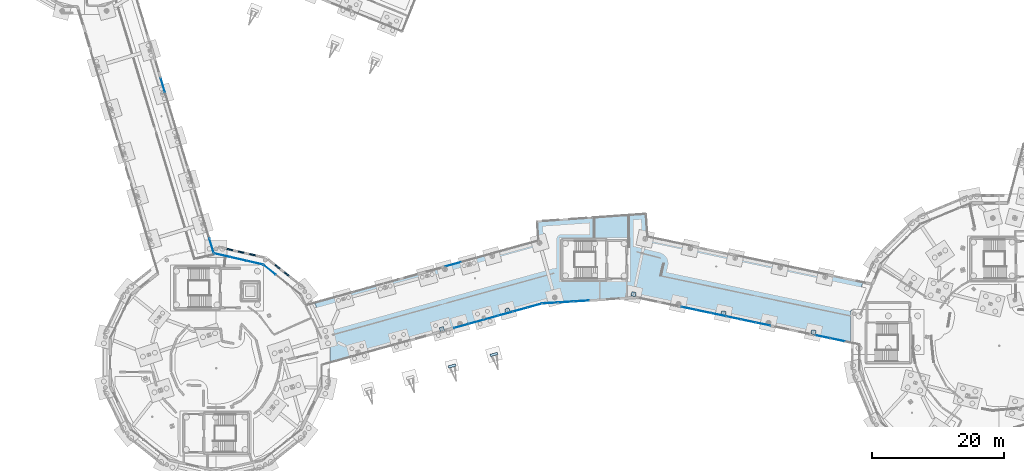
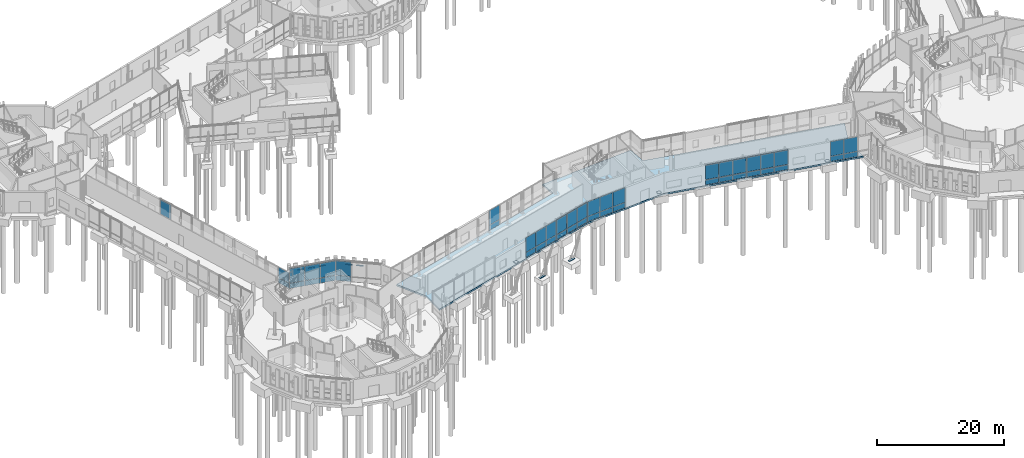
# One storey, part 65 of 113: 59 plates, 1 slab, 11 elements without a shape of their own.
"""IFC4 building model written with IfcOpenShell, lengths in metres."""

import ifcopenshell
import ifcopenshell.guid

model = None  # the IFC model being written
_history = None  # IfcOwnerHistory: only IFC2X3 demands one
_inside = {}  # id of a spatial element -> (the spatial element, [elements in it])
_under = {}  # id of a project, library or spatial element -> (it, [spatial elements below it])
_declared = {}  # id of a project -> (the project, [libraries it declares])
_typed = {}  # id of a type object -> (the type object, [elements of that type])
_made_of = {}  # id of a material, layer set ... -> (it, [elements and type objects made of it])


def new_model(schema):
    """Start an empty IFC model of exactly this schema.

    Asked for "IFC4X3", IfcOpenShell would pick the latest addendum, in which some entities
    have other attributes; the version numbers below select the first issue.
    IFC2X3 requires an IfcOwnerHistory on every rooted entity: one is made here for all.
    """
    global model, _history
    if schema == "IFC4X3":
        model = ifcopenshell.file(schema_version=(4, 3, 0, 0))
    else:
        model = ifcopenshell.file(schema=schema)
    _inside.clear()
    _under.clear()
    _declared.clear()
    _typed.clear()
    _made_of.clear()
    _history = None
    if model.schema == "IFC2X3":
        org = make("IfcOrganization", Name="unknown")
        user = make(
            "IfcPersonAndOrganization",
            ThePerson=make("IfcPerson", FamilyName="unknown"),
            TheOrganization=org,
        )
        app = make(
            "IfcApplication",
            ApplicationDeveloper=org,
            Version="unknown",
            ApplicationFullName="unknown",
            ApplicationIdentifier="unknown",
        )
        _history = make(
            "IfcOwnerHistory",
            OwningUser=user,
            OwningApplication=app,
            ChangeAction="ADDED",
            CreationDate=0,
        )
    return model


def make(cls, **values):
    """One entity of the class cls with the attributes given. An attribute that is None is left unset."""
    return model.create_entity(
        cls, **{name: value for name, value in values.items() if value is not None}
    )


def rooted(cls, **values):
    """An entity with a GlobalId (a new one), such as an element, a storey or a relation."""
    return make(cls, GlobalId=ifcopenshell.guid.new(), OwnerHistory=_history, **values)


def si_unit(unit_type, name, prefix=None):
    """IfcSIUnit, for example si_unit("LENGTHUNIT", "METRE", prefix="MILLI")."""
    return make("IfcSIUnit", UnitType=unit_type, Prefix=prefix, Name=name)


def assignment(units):
    """IfcUnitAssignment: the units of a project."""
    return None if units is None else make("IfcUnitAssignment", Units=units)


def point(xyz):
    """IfcCartesianPoint."""
    return None if xyz is None else make("IfcCartesianPoint", Coordinates=xyz)


def direction(xyz):
    """IfcDirection."""
    return None if xyz is None else make("IfcDirection", DirectionRatios=xyz)


def frame(location, z_axis=None, x_axis=None):
    """IfcAxis2Placement3D, a coordinate frame: its origin and axes. An axis left out is left unset."""
    return make(
        "IfcAxis2Placement3D",
        Location=point(location),
        Axis=direction(z_axis),
        RefDirection=direction(x_axis),
    )


def frame_2d(location, x_axis=None):
    """IfcAxis2Placement2D, a coordinate frame in the plane: its origin and x axis."""
    return make(
        "IfcAxis2Placement2D", Location=point(location), RefDirection=direction(x_axis)
    )


def origin():
    """The frame at (0, 0, 0) with its axes left unset."""
    return frame((0.0, 0.0, 0.0))


def origin_2d():
    """The frame at (0, 0) in the plane with its x axis left unset."""
    return frame_2d((0.0, 0.0))


def place(relative_to, where):
    """IfcLocalPlacement: puts the frame where relative to a parent placement (None: the world)."""
    return make(
        "IfcLocalPlacement", PlacementRelTo=relative_to, RelativePlacement=where
    )


def context(
    kind, dimensions, precision=None, world=None, true_north=None, identifier=None
):
    """IfcGeometricRepresentationContext, for example the 3D "Model" context."""
    return make(
        "IfcGeometricRepresentationContext",
        ContextIdentifier=identifier,
        ContextType=kind,
        CoordinateSpaceDimension=dimensions,
        Precision=precision,
        WorldCoordinateSystem=world,
        TrueNorth=true_north,
    )


def subcontext(parent, identifier, kind, view, scale=None):
    """IfcGeometricRepresentationSubContext, for example "Body" below "Model"."""
    return make(
        "IfcGeometricRepresentationSubContext",
        ContextIdentifier=identifier,
        ContextType=kind,
        ParentContext=parent,
        TargetScale=scale,
        TargetView=view,
    )


def project(units=None, contexts=None):
    """IfcProject with its units and contexts."""
    return rooted(
        "IfcProject",
        Name="project",
        RepresentationContexts=contexts,
        UnitsInContext=assignment(units),
    )


def spatial(cls, under=None, at=None, **own):
    """A site, building, storey or space (cls), placed at a placement, below another one or the project."""
    s = rooted(cls, ObjectPlacement=at, **own)
    if under is not None:
        _under.setdefault(under.id(), (under, []))[1].append(s)
    return s


def polyline(points):
    """IfcPolyline through the points."""
    return make("IfcPolyline", Points=[point(p) for p in points])


def profile(cls, at=None, kind="AREA", **sizes):
    """A parametric profile (cls). Its sizes go by their IFC names, for example OverallWidth=200.0."""
    return make(cls, ProfileType=kind, Position=at, **sizes)


def rectangle(**sizes):
    """IfcRectangleProfileDef."""
    return profile("IfcRectangleProfileDef", **sizes)


def outline(outer, holes=None, kind="AREA"):
    """IfcArbitraryClosedProfileDef: a profile drawn as a closed curve; with holes, ...WithVoids."""
    if holes is None:
        return make("IfcArbitraryClosedProfileDef", ProfileType=kind, OuterCurve=outer)
    return make(
        "IfcArbitraryProfileDefWithVoids",
        ProfileType=kind,
        OuterCurve=outer,
        InnerCurves=holes,
    )


def extrude(swept, where, along, depth):
    """IfcExtrudedAreaSolid: the profile swept, set in the frame where, extruded along a direction by depth."""
    return make(
        "IfcExtrudedAreaSolid",
        SweptArea=swept,
        Position=where,
        ExtrudedDirection=direction(along),
        Depth=depth,
    )


def shape(context_of_items, identifier, shape_type, items):
    """IfcShapeRepresentation: the items that make up one representation, for example the "Body"."""
    return make(
        "IfcShapeRepresentation",
        ContextOfItems=context_of_items,
        RepresentationIdentifier=identifier,
        RepresentationType=shape_type,
        Items=items,
    )


def material(Name=None, Category=None):
    """IfcMaterial."""
    return make("IfcMaterial", Name=Name, Category=Category)


def layer(
    of_material, thickness, ventilated=None, Name=None, Category=None, Priority=None
):
    """IfcMaterialLayer: one layer of a wall or slab, of a material (None: an air gap)."""
    return make(
        "IfcMaterialLayer",
        Material=of_material,
        LayerThickness=thickness,
        IsVentilated=ventilated,
        Name=Name,
        Category=Category,
        Priority=Priority,
    )


def layer_set(layers, Name=None):
    """IfcMaterialLayerSet."""
    return make("IfcMaterialLayerSet", MaterialLayers=layers, LayerSetName=Name)


def made_of(thing, what):
    """Note that an element or type object is made of a material, layer set ...; save() writes the relation."""
    if what is not None:
        _made_of.setdefault(what.id(), (what, []))[1].append(thing)
    return thing


def type_object(cls, material=None, **own):
    """A type object (cls), such as IfcWallType, which elements share."""
    return made_of(rooted(cls, **own), material)


def element(
    cls,
    number,
    at=None,
    inside=None,
    cuts=None,
    type_object=None,
    material=None,
    context=None,
    identifier="Body",
    shape_type=None,
    held_by="IfcProductDefinitionShape",
    body=None,
    shapes=None,
    **own,
):
    """One element of the class cls, such as IfcWall. Its Tag is "e" and its number.

    at: its placement. inside: the storey or other place that contains it. cuts: it is an
    opening in that element (IfcRelVoidsElement). A single representation is given by context,
    identifier, shape_type and body (its items); several are given by shapes. held_by: the class
    of the entity that holds the representations. save() writes the other relations.
    """
    e = rooted(cls, Tag="e%d" % number, ObjectPlacement=at, **own)
    if body is not None:
        shapes = [shape(context, identifier, shape_type, body)]
    if shapes is not None:
        e.Representation = make(held_by, Representations=shapes)
    if inside is not None:
        _inside.setdefault(inside.id(), (inside, []))[1].append(e)
    if cuts is not None:
        rooted(
            "IfcRelVoidsElement", RelatingBuildingElement=cuts, RelatedOpeningElement=e
        )
    if type_object is not None:
        _typed.setdefault(type_object.id(), (type_object, []))[1].append(e)
    return made_of(e, material)


def aggregate(whole, parts):
    """IfcRelAggregates: a whole, such as a stair, and the parts it consists of."""
    return rooted("IfcRelAggregates", RelatingObject=whole, RelatedObjects=parts)


def save(model, path):
    """Write the relations noted so far, then the file.

    IfcRelAggregates (storeys below a building ...), IfcRelContainedInSpatialStructure (elements
    in a storey), IfcRelDefinesByType, IfcRelAssociatesMaterial and IfcRelDeclares: one each for
    every whole, place, type object, material and project.
    """
    for whole, parts in _under.values():
        aggregate(whole, parts)
    for where, things in _inside.values():
        rooted(
            "IfcRelContainedInSpatialStructure",
            RelatedElements=things,
            RelatingStructure=where,
        )
    for kind, things in _typed.values():
        rooted("IfcRelDefinesByType", RelatedObjects=things, RelatingType=kind)
    for what, things in _made_of.values():
        rooted("IfcRelAssociatesMaterial", RelatedObjects=things, RelatingMaterial=what)
    for by, libraries in _declared.values():
        rooted("IfcRelDeclares", RelatingContext=by, RelatedDefinitions=libraries)
    model.write(path)


model = new_model("IFC4")

# Units and contexts
model_context = context("Model", 3, precision=1e-05, world=origin(), true_north=direction((0.0, 1.0)))
body_context = subcontext(model_context, "Body", "Model", "MODEL_VIEW")
ifc_project = project(units=[si_unit("LENGTHUNIT", "METRE"), si_unit("AREAUNIT", "SQUARE_METRE"), si_unit("VOLUMEUNIT", "CUBIC_METRE"), si_unit("PLANEANGLEUNIT", "RADIAN"), si_unit("MASSUNIT", "GRAM", prefix="KILO")], contexts=[model_context])

# Site, building, storey
site_placement = place(None, origin())
site = spatial("IfcSite", under=ifc_project, at=site_placement, CompositionType="ELEMENT")
building_placement = place(site_placement, origin())
building = spatial("IfcBuilding", under=site, at=building_placement, Name="Wrenclough Park School", CompositionType="ELEMENT")
storey_placement = place(building_placement, origin())
storey = spatial("IfcBuildingStorey", under=building, at=storey_placement, Name="L00", CompositionType="ELEMENT", Elevation=0.0)

# Curtain wall, plates
ifc_material_1 = material(Name="Thermally broken aluminium and low-e glass curtain wall", Category="aluminium")
curtain_wall_type_1 = type_object("IfcCurtainWallType", Name="ENV-CW-05", PredefinedType="USERDEFINED", material=ifc_material_1)
curtain_wall_1_placement = place(storey_placement, origin())
curtain_wall_1 = element("IfcCurtainWall", 1, at=curtain_wall_1_placement, inside=storey, type_object=curtain_wall_type_1, Name="L00 recessed curtain wall assembly 036", ObjectType="CURTAIN WALL", PredefinedType="USERDEFINED")
ifc_material_2 = material(Name="Double-glazed solar-control low-e glass", Category="glass")
ifc_layer_1 = layer(ifc_material_2, 0.02587890625)
ifc_layer_set_1 = layer_set([ifc_layer_1], Name="Double-glazed solar-control low-e glass")
plate_type_1 = type_object("IfcPlateType", Name="ENV-CWP-GL26", PredefinedType="CURTAIN_PANEL", material=ifc_layer_set_1)
plate_1_placement = place(storey_placement, frame((119.603759765625, 29.304443359375, 0.06005859375), z_axis=(0.0, 0.0, 1.0), x_axis=(-0.978380117237, 0.206814763004, 0.0)))
plate_1 = element("IfcPlate", 2, at=plate_1_placement, type_object=plate_type_1, Name="CW-05 panel 1.1", PredefinedType="CURTAIN_PANEL", context=body_context, shape_type="SweptSolid", body=[
    extrude(rectangle(XDim=2.213623046875, YDim=0.02587890625, at=origin_2d()), origin(), (0.0, 0.0, 1.0), 0.9599609375),
])
plate_2_placement = place(storey_placement, frame((119.603759765625, 29.304443359375, 1.080078125), z_axis=(0.0, 0.0, 1.0), x_axis=(-0.978380117237, 0.206814763004, 0.0)))
plate_2 = element("IfcPlate", 3, at=plate_2_placement, type_object=plate_type_1, Name="CW-05 panel 1.2", PredefinedType="CURTAIN_PANEL", context=body_context, shape_type="SweptSolid", body=[
    extrude(rectangle(XDim=2.213623046875, YDim=0.02587890625, at=origin_2d()), origin(), (0.0, 0.0, 1.0), 2.800048828125),
])
plate_3_placement = place(storey_placement, frame((117.364501953125, 29.77783203125, 0.06005859375), z_axis=(0.0, 0.0, 1.0), x_axis=(-0.978380117237, 0.206814763004, 0.0)))
plate_3 = element("IfcPlate", 4, at=plate_3_placement, type_object=plate_type_1, Name="CW-05 panel 2.1", PredefinedType="CURTAIN_PANEL", context=body_context, shape_type="SweptSolid", body=[
    extrude(rectangle(XDim=2.24365234375, YDim=0.02587890625, at=origin_2d()), origin(), (0.0, 0.0, 1.0), 0.9599609375),
])
plate_4_placement = place(storey_placement, frame((117.364501953125, 29.77783203125, 1.080078125), z_axis=(0.0, 0.0, 1.0), x_axis=(-0.978380117237, 0.206814763004, 0.0)))
plate_4 = element("IfcPlate", 5, at=plate_4_placement, type_object=plate_type_1, Name="CW-05 panel 2.2", PredefinedType="CURTAIN_PANEL", context=body_context, shape_type="SweptSolid", body=[
    extrude(rectangle(XDim=2.24365234375, YDim=0.02587890625, at=origin_2d()), origin(), (0.0, 0.0, 1.0), 2.800048828125),
])
plate_5_placement = place(storey_placement, frame((115.12548828125, 30.2509765625, 0.06005859375), z_axis=(0.0, 0.0, 1.0), x_axis=(-0.978380117237, 0.206814763004, 0.0)))
plate_5 = element("IfcPlate", 6, at=plate_5_placement, type_object=plate_type_1, Name="CW-05 panel 3.1", PredefinedType="CURTAIN_PANEL", context=body_context, shape_type="SweptSolid", body=[
    extrude(rectangle(XDim=2.213623046875, YDim=0.02587890625, at=origin_2d()), origin(), (0.0, 0.0, 1.0), 0.9599609375),
])
plate_6_placement = place(storey_placement, frame((115.12548828125, 30.2509765625, 1.080078125), z_axis=(0.0, 0.0, 1.0), x_axis=(-0.978380117237, 0.206814763004, 0.0)))
plate_6 = element("IfcPlate", 7, at=plate_6_placement, type_object=plate_type_1, Name="CW-05 panel 3.2", PredefinedType="CURTAIN_PANEL", context=body_context, shape_type="SweptSolid", body=[
    extrude(rectangle(XDim=2.213623046875, YDim=0.02587890625, at=origin_2d()), origin(), (0.0, 0.0, 1.0), 2.800048828125),
])
aggregate(curtain_wall_1, [plate_1, plate_2, plate_3, plate_4, plate_5, plate_6])

curtain_wall_type_2 = type_object("IfcCurtainWallType", Name="ENV-CW-09", PredefinedType="USERDEFINED", material=ifc_material_1)
curtain_wall_2_placement = place(storey_placement, origin())
curtain_wall_2 = element("IfcCurtainWall", 8, at=curtain_wall_2_placement, inside=storey, type_object=curtain_wall_type_2, Name="L00 recessed curtain wall assembly 040", ObjectType="CURTAIN WALL", PredefinedType="USERDEFINED")
plate_7_placement = place(storey_placement, frame((78.2119140625, 30.248779296875, 0.06494140625), z_axis=(0.0, 0.0, 1.0), x_axis=(-0.963399766486, -0.268068815671, 0.0)))
plate_7 = element("IfcPlate", 9, at=plate_7_placement, type_object=plate_type_1, Name="CW-09 panel 1.1", PredefinedType="CURTAIN_PANEL", context=body_context, shape_type="SweptSolid", body=[
    extrude(rectangle(XDim=2.216552734375, YDim=0.02587890625, at=origin_2d()), origin(), (0.0, 0.0, 1.0), 0.952392578125),
])
plate_8_placement = place(storey_placement, frame((78.2119140625, 30.248779296875, 1.08251953125), z_axis=(0.0, 0.0, 1.0), x_axis=(-0.963399766486, -0.268068815671, 0.0)))
plate_8 = element("IfcPlate", 10, at=plate_8_placement, type_object=plate_type_1, Name="CW-09 panel 1.2", PredefinedType="CURTAIN_PANEL", context=body_context, shape_type="SweptSolid", body=[
    extrude(rectangle(XDim=2.216552734375, YDim=0.02587890625, at=origin_2d()), origin(), (0.0, 0.0, 1.0), 2.79248046875),
])
plate_9_placement = place(storey_placement, frame((75.998291015625, 29.633056640625, 0.06494140625), z_axis=(0.0, 0.0, 1.0), x_axis=(-0.963399766486, -0.268068815671, 0.0)))
plate_9 = element("IfcPlate", 11, at=plate_9_placement, type_object=plate_type_1, Name="CW-09 panel 2.1", PredefinedType="CURTAIN_PANEL", context=body_context, shape_type="SweptSolid", body=[
    extrude(rectangle(XDim=2.2490234375, YDim=0.02587890625, at=origin_2d()), origin(), (0.0, 0.0, 1.0), 0.952392578125),
])
plate_10_placement = place(storey_placement, frame((75.998291015625, 29.633056640625, 1.08251953125), z_axis=(0.0, 0.0, 1.0), x_axis=(-0.963399766486, -0.268068815671, 0.0)))
plate_10 = element("IfcPlate", 12, at=plate_10_placement, type_object=plate_type_1, Name="CW-09 panel 2.2", PredefinedType="CURTAIN_PANEL", context=body_context, shape_type="SweptSolid", body=[
    extrude(rectangle(XDim=2.2490234375, YDim=0.02587890625, at=origin_2d()), origin(), (0.0, 0.0, 1.0), 2.79248046875),
])
plate_11_placement = place(storey_placement, frame((73.78466796875, 29.01708984375, 0.06494140625), z_axis=(0.0, 0.0, 1.0), x_axis=(-0.963399766486, -0.268068815671, 0.0)))
plate_11 = element("IfcPlate", 13, at=plate_11_placement, type_object=plate_type_1, Name="CW-09 panel 3.1", PredefinedType="CURTAIN_PANEL", context=body_context, shape_type="SweptSolid", body=[
    extrude(rectangle(XDim=2.216552734375, YDim=0.02587890625, at=origin_2d()), origin(), (0.0, 0.0, 1.0), 0.952392578125),
])
plate_12_placement = place(storey_placement, frame((73.78466796875, 29.01708984375, 1.08251953125), z_axis=(0.0, 0.0, 1.0), x_axis=(-0.963399766486, -0.268068815671, 0.0)))
plate_12 = element("IfcPlate", 14, at=plate_12_placement, type_object=plate_type_1, Name="CW-09 panel 3.2", PredefinedType="CURTAIN_PANEL", context=body_context, shape_type="SweptSolid", body=[
    extrude(rectangle(XDim=2.216552734375, YDim=0.02587890625, at=origin_2d()), origin(), (0.0, 0.0, 1.0), 2.79248046875),
])
aggregate(curtain_wall_2, [plate_7, plate_8, plate_9, plate_10, plate_11, plate_12])

curtain_wall_type_3 = type_object("IfcCurtainWallType", Name="ENV-CW-02", PredefinedType="USERDEFINED", material=ifc_material_1)
curtain_wall_3_placement = place(storey_placement, origin())
curtain_wall_3 = element("IfcCurtainWall", 15, at=curtain_wall_3_placement, inside=storey, type_object=curtain_wall_type_3, Name="L00 recessed curtain wall assembly 049", ObjectType="CURTAIN WALL", PredefinedType="USERDEFINED")
ifc_material_3 = material(Name="Double-glazed acoustic low-e glass", Category="glass")
ifc_layer_2 = layer(ifc_material_3, 0.030029296875)
ifc_layer_set_2 = layer_set([ifc_layer_2], Name="Double-glazed acoustic low-e glass")
plate_type_2 = type_object("IfcPlateType", Name="ENV-CWP-GL30", PredefinedType="CURTAIN_PANEL", material=ifc_layer_set_2)
plate_13_placement = place(storey_placement, frame((72.56298828125, 38.392822265625, 0.06494140625), z_axis=(0.0, 0.0, 1.0), x_axis=(0.963396230426, 0.268081523423, 0.0)))
plate_13 = element("IfcPlate", 16, at=plate_13_placement, type_object=plate_type_2, Name="CW-02 panel 1.1", PredefinedType="CURTAIN_PANEL", context=body_context, shape_type="SweptSolid", body=[
    extrude(rectangle(XDim=2.345703125, YDim=0.030029296875, at=origin_2d()), origin(), (0.0, 0.0, 1.0), 0.952392578125),
])
plate_14_placement = place(storey_placement, frame((72.56298828125, 38.392822265625, 1.08251953125), z_axis=(0.0, 0.0, 1.0), x_axis=(0.963396230426, 0.268081523423, 0.0)))
plate_14 = element("IfcPlate", 17, at=plate_14_placement, type_object=plate_type_2, Name="CW-02 panel 1.2", PredefinedType="CURTAIN_PANEL", context=body_context, shape_type="SweptSolid", body=[
    extrude(rectangle(XDim=2.345703125, YDim=0.030029296875, at=origin_2d()), origin(), (0.0, 0.0, 1.0), 2.79248046875),
])
aggregate(curtain_wall_3, [plate_13, plate_14])

# Curtain wall, plate
curtain_wall_4_placement = place(storey_placement, origin())
curtain_wall_4 = element("IfcCurtainWall", 18, at=curtain_wall_4_placement, inside=storey, type_object=curtain_wall_type_3, Name="L00 recessed curtain wall assembly 081", ObjectType="CURTAIN WALL", PredefinedType="USERDEFINED")
plate_15_placement = place(storey_placement, frame((28.417236328125, 65.62158203125, 1.080078125), z_axis=(0.0, 0.0, 1.0), x_axis=(0.289988669528, -0.957030078705, 0.0)))
plate_15 = element("IfcPlate", 19, at=plate_15_placement, type_object=plate_type_2, Name="CW-02 panel 1.2", PredefinedType="CURTAIN_PANEL", context=body_context, shape_type="SweptSolid", body=[
    extrude(rectangle(XDim=2.23193359375, YDim=0.030029296875, at=origin_2d()), origin(), (0.0, 0.0, 1.0), 2.800048828125),
])
aggregate(curtain_wall_4, [plate_15])

# Curtain wall, plates
curtain_wall_type_4 = type_object("IfcCurtainWallType", Name="ENV-CW-04", PredefinedType="USERDEFINED", material=ifc_material_1)
curtain_wall_5_placement = place(storey_placement, origin())
curtain_wall_5 = element("IfcCurtainWall", 20, at=curtain_wall_5_placement, inside=storey, type_object=curtain_wall_type_4, Name="L00 recessed curtain wall assembly 035", ObjectType="CURTAIN WALL", PredefinedType="USERDEFINED")
ifc_material_4 = material(Name="Laminated sports-concourse safety glass", Category="glass")
ifc_layer_3 = layer(ifc_material_4, 0.0380859375)
ifc_layer_set_3 = layer_set([ifc_layer_3], Name="Laminated sports-concourse safety glass")
plate_type_3 = type_object("IfcPlateType", Name="ENV-CWP-GL38", PredefinedType="CURTAIN_PANEL", material=ifc_layer_set_3)
plate_16_placement = place(storey_placement, frame((130.9033203125, 26.916015625, 0.06982421875), z_axis=(0.0, 0.0, 1.0), x_axis=(-0.97837949832, 0.206817690897, 0.0)))
plate_16 = element("IfcPlate", 21, at=plate_16_placement, type_object=plate_type_3, Name="CW-04 panel 2.1", PredefinedType="CURTAIN_PANEL", context=body_context, shape_type="SweptSolid", body=[
    extrude(rectangle(XDim=2.233642578125, YDim=0.0380859375, at=origin_2d()), origin(), (0.0, 0.0, 1.0), 0.945068359375),
])
plate_17_placement = place(storey_placement, frame((130.9033203125, 26.916015625, 1.0849609375), z_axis=(0.0, 0.0, 1.0), x_axis=(-0.97837949832, 0.206817690897, 0.0)))
plate_17 = element("IfcPlate", 22, at=plate_17_placement, type_object=plate_type_3, Name="CW-04 panel 2.2", PredefinedType="CURTAIN_PANEL", context=body_context, shape_type="SweptSolid", body=[
    extrude(rectangle(XDim=2.233642578125, YDim=0.0380859375, at=origin_2d()), origin(), (0.0, 0.0, 1.0), 2.784912109375),
])
plate_18_placement = place(storey_placement, frame((128.66650390625, 27.388671875, 0.06982421875), z_axis=(0.0, 0.0, 1.0), x_axis=(-0.97837949832, 0.206817690897, 0.0)))
plate_18 = element("IfcPlate", 23, at=plate_18_placement, type_object=plate_type_3, Name="CW-04 panel 3.1", PredefinedType="CURTAIN_PANEL", context=body_context, shape_type="SweptSolid", body=[
    extrude(rectangle(XDim=2.19873046875, YDim=0.0380859375, at=origin_2d()), origin(), (0.0, 0.0, 1.0), 0.945068359375),
])
plate_19_placement = place(storey_placement, frame((128.66650390625, 27.388671875, 1.0849609375), z_axis=(0.0, 0.0, 1.0), x_axis=(-0.97837949832, 0.206817690897, 0.0)))
plate_19 = element("IfcPlate", 24, at=plate_19_placement, type_object=plate_type_3, Name="CW-04 panel 3.2", PredefinedType="CURTAIN_PANEL", context=body_context, shape_type="SweptSolid", body=[
    extrude(rectangle(XDim=2.19873046875, YDim=0.0380859375, at=origin_2d()), origin(), (0.0, 0.0, 1.0), 2.784912109375),
])
aggregate(curtain_wall_5, [plate_16, plate_17, plate_18, plate_19])

curtain_wall_6_placement = place(storey_placement, origin())
curtain_wall_6 = element("IfcCurtainWall", 25, at=curtain_wall_6_placement, inside=storey, type_object=curtain_wall_type_4, Name="L00 recessed curtain wall assembly 083", ObjectType="CURTAIN WALL", PredefinedType="USERDEFINED")
plate_20_placement = place(storey_placement, frame((35.822021484375, 41.18505859375, 0.06982421875), z_axis=(0.0, 0.0, 1.0), x_axis=(0.289988669528, -0.957030078705, 0.0)))
plate_20 = element("IfcPlate", 26, at=plate_20_placement, type_object=plate_type_3, Name="CW-04 panel 3.1", PredefinedType="CURTAIN_PANEL", context=body_context, shape_type="SweptSolid", body=[
    extrude(rectangle(XDim=2.217041015625, YDim=0.0380859375, at=origin_2d()), origin(), (0.0, 0.0, 1.0), 0.945068359375),
])
plate_21_placement = place(storey_placement, frame((35.822021484375, 41.18505859375, 1.0849609375), z_axis=(0.0, 0.0, 1.0), x_axis=(0.289988669528, -0.957030078705, 0.0)))
plate_21 = element("IfcPlate", 27, at=plate_21_placement, type_object=plate_type_3, Name="CW-04 panel 3.2", PredefinedType="CURTAIN_PANEL", context=body_context, shape_type="SweptSolid", body=[
    extrude(rectangle(XDim=2.217041015625, YDim=0.0380859375, at=origin_2d()), origin(), (0.0, 0.0, 1.0), 1.97705078125),
])
aggregate(curtain_wall_6, [plate_20, plate_21])

curtain_wall_type_5 = type_object("IfcCurtainWallType", Name="ENV-CW-06", PredefinedType="USERDEFINED", material=ifc_material_1)
curtain_wall_7_placement = place(storey_placement, origin())
curtain_wall_7 = element("IfcCurtainWall", 28, at=curtain_wall_7_placement, inside=storey, type_object=curtain_wall_type_5, Name="L00 recessed curtain wall assembly 037", ObjectType="CURTAIN WALL", PredefinedType="USERDEFINED")
ifc_material_5 = material(Name="Insulated anodised aluminium spandrel panel", Category="aluminium")
ifc_layer_4 = layer(ifc_material_5, 0.0419921875)
ifc_layer_set_4 = layer_set([ifc_layer_4], Name="Insulated anodised aluminium spandrel panel")
plate_type_4 = type_object("IfcPlateType", Name="ENV-CWP-SP42", PredefinedType="CURTAIN_PANEL", material=ifc_layer_set_4)
plate_22_placement = place(storey_placement, frame((112.833251953125, 30.735595703125, 0.06494140625), z_axis=(0.0, 0.0, 1.0), x_axis=(-0.97837949832, 0.206817690897, 0.0)))
plate_22 = element("IfcPlate", 29, at=plate_22_placement, type_object=plate_type_4, Name="CW-06 panel 1.1", PredefinedType="CURTAIN_PANEL", context=body_context, shape_type="SweptSolid", body=[
    extrude(rectangle(XDim=2.2060546875, YDim=0.0419921875, at=origin_2d()), origin(), (0.0, 0.0, 1.0), 0.952392578125),
])
plate_23_placement = place(storey_placement, frame((112.833251953125, 30.735595703125, 1.08251953125), z_axis=(0.0, 0.0, 1.0), x_axis=(-0.97837949832, 0.206817690897, 0.0)))
plate_23 = element("IfcPlate", 30, at=plate_23_placement, type_object=plate_type_4, Name="CW-06 panel 1.2", PredefinedType="CURTAIN_PANEL", context=body_context, shape_type="SweptSolid", body=[
    extrude(rectangle(XDim=2.2060546875, YDim=0.0419921875, at=origin_2d()), origin(), (0.0, 0.0, 1.0), 2.79248046875),
])
plate_24_placement = place(storey_placement, frame((110.59521484375, 31.208740234375, 0.06494140625), z_axis=(0.0, 0.0, 1.0), x_axis=(-0.97837949832, 0.206817690897, 0.0)))
plate_24 = element("IfcPlate", 31, at=plate_24_placement, type_object=plate_type_4, Name="CW-06 panel 2.1", PredefinedType="CURTAIN_PANEL", context=body_context, shape_type="SweptSolid", body=[
    extrude(rectangle(XDim=2.238525390625, YDim=0.0419921875, at=origin_2d()), origin(), (0.0, 0.0, 1.0), 0.952392578125),
])
plate_25_placement = place(storey_placement, frame((110.59521484375, 31.208740234375, 1.08251953125), z_axis=(0.0, 0.0, 1.0), x_axis=(-0.97837949832, 0.206817690897, 0.0)))
plate_25 = element("IfcPlate", 32, at=plate_25_placement, type_object=plate_type_4, Name="CW-06 panel 2.2", PredefinedType="CURTAIN_PANEL", context=body_context, shape_type="SweptSolid", body=[
    extrude(rectangle(XDim=2.238525390625, YDim=0.0419921875, at=origin_2d()), origin(), (0.0, 0.0, 1.0), 2.79248046875),
])
plate_26_placement = place(storey_placement, frame((108.357421875, 31.681640625, 0.06494140625), z_axis=(0.0, 0.0, 1.0), x_axis=(-0.97837949832, 0.206817690897, 0.0)))
plate_26 = element("IfcPlate", 33, at=plate_26_placement, type_object=plate_type_4, Name="CW-06 panel 3.1", PredefinedType="CURTAIN_PANEL", context=body_context, shape_type="SweptSolid", body=[
    extrude(rectangle(XDim=2.2060546875, YDim=0.0419921875, at=origin_2d()), origin(), (0.0, 0.0, 1.0), 0.952392578125),
])
plate_27_placement = place(storey_placement, frame((108.357421875, 31.681640625, 1.08251953125), z_axis=(0.0, 0.0, 1.0), x_axis=(-0.97837949832, 0.206817690897, 0.0)))
plate_27 = element("IfcPlate", 34, at=plate_27_placement, type_object=plate_type_4, Name="CW-06 panel 3.2", PredefinedType="CURTAIN_PANEL", context=body_context, shape_type="SweptSolid", body=[
    extrude(rectangle(XDim=2.2060546875, YDim=0.0419921875, at=origin_2d()), origin(), (0.0, 0.0, 1.0), 2.79248046875),
])
aggregate(curtain_wall_7, [plate_22, plate_23, plate_24, plate_25, plate_26, plate_27])

curtain_wall_type_6 = type_object("IfcCurtainWallType", Name="ENV-CW-14", PredefinedType="USERDEFINED", material=ifc_material_1)
curtain_wall_8_placement = place(storey_placement, origin())
curtain_wall_8 = element("IfcCurtainWall", 35, at=curtain_wall_8_placement, inside=storey, type_object=curtain_wall_type_6, Name="L00 recessed curtain wall assembly 045", ObjectType="CURTAIN WALL", PredefinedType="USERDEFINED")
plate_28_placement = place(storey_placement, frame((37.4296875, 39.7646484375, 0.06005859375), z_axis=(0.0, 0.0, 1.0), x_axis=(0.97492902994, -0.222516036679, 0.0)))
plate_28 = element("IfcPlate", 36, at=plate_28_placement, type_object=plate_type_4, Name="CW-14 panel 1.1", PredefinedType="CURTAIN_PANEL", context=body_context, shape_type="SweptSolid", body=[
    extrude(rectangle(XDim=2.46630859375, YDim=0.0419921875, at=origin_2d()), origin(), (0.0, 0.0, 1.0), 0.9599609375),
])
plate_29_placement = place(storey_placement, frame((37.4296875, 39.7646484375, 1.080078125), z_axis=(0.0, 0.0, 1.0), x_axis=(0.97492902994, -0.222516036679, 0.0)))
plate_29 = element("IfcPlate", 37, at=plate_29_placement, type_object=plate_type_4, Name="CW-14 panel 1.2", PredefinedType="CURTAIN_PANEL", context=body_context, shape_type="SweptSolid", body=[
    extrude(rectangle(XDim=2.46630859375, YDim=0.0419921875, at=origin_2d()), origin(), (0.0, 0.0, 1.0), 2.800048828125),
])
plate_30_placement = place(storey_placement, frame((39.906982421875, 39.19921875, 0.06005859375), z_axis=(0.0, 0.0, 1.0), x_axis=(0.97492902994, -0.222516036679, 0.0)))
plate_30 = element("IfcPlate", 38, at=plate_30_placement, type_object=plate_type_4, Name="CW-14 panel 2.1", PredefinedType="CURTAIN_PANEL", context=body_context, shape_type="SweptSolid", body=[
    extrude(rectangle(XDim=2.496337890625, YDim=0.0419921875, at=origin_2d()), origin(), (0.0, 0.0, 1.0), 0.9599609375),
])
plate_31_placement = place(storey_placement, frame((39.906982421875, 39.19921875, 1.080078125), z_axis=(0.0, 0.0, 1.0), x_axis=(0.97492902994, -0.222516036679, 0.0)))
plate_31 = element("IfcPlate", 39, at=plate_31_placement, type_object=plate_type_4, Name="CW-14 panel 2.2", PredefinedType="CURTAIN_PANEL", context=body_context, shape_type="SweptSolid", body=[
    extrude(rectangle(XDim=2.496337890625, YDim=0.0419921875, at=origin_2d()), origin(), (0.0, 0.0, 1.0), 2.800048828125),
])
plate_32_placement = place(storey_placement, frame((42.384521484375, 38.6337890625, 0.06005859375), z_axis=(0.0, 0.0, 1.0), x_axis=(0.97492902994, -0.222516036679, 0.0)))
plate_32 = element("IfcPlate", 40, at=plate_32_placement, type_object=plate_type_4, Name="CW-14 panel 3.1", PredefinedType="CURTAIN_PANEL", context=body_context, shape_type="SweptSolid", body=[
    extrude(rectangle(XDim=2.46630859375, YDim=0.0419921875, at=origin_2d()), origin(), (0.0, 0.0, 1.0), 0.9599609375),
])
plate_33_placement = place(storey_placement, frame((42.384521484375, 38.6337890625, 1.080078125), z_axis=(0.0, 0.0, 1.0), x_axis=(0.97492902994, -0.222516036679, 0.0)))
plate_33 = element("IfcPlate", 41, at=plate_33_placement, type_object=plate_type_4, Name="CW-14 panel 3.2", PredefinedType="CURTAIN_PANEL", context=body_context, shape_type="SweptSolid", body=[
    extrude(rectangle(XDim=2.46630859375, YDim=0.0419921875, at=origin_2d()), origin(), (0.0, 0.0, 1.0), 2.800048828125),
])
aggregate(curtain_wall_8, [plate_28, plate_29, plate_30, plate_31, plate_32, plate_33])

curtain_wall_type_7 = type_object("IfcCurtainWallType", Name="ENV-CW-07", PredefinedType="USERDEFINED", material=ifc_material_1)
curtain_wall_9_placement = place(storey_placement, origin())
curtain_wall_9 = element("IfcCurtainWall", 42, at=curtain_wall_9_placement, inside=storey, type_object=curtain_wall_type_7, Name="L00 recessed curtain wall assembly 038", ObjectType="CURTAIN WALL", PredefinedType="USERDEFINED")
ifc_material_6 = material(Name="Insulated patinated copper-toned spandrel panel", Category="aluminium")
ifc_layer_5 = layer(ifc_material_6, 0.048095703125)
ifc_layer_set_5 = layer_set([ifc_layer_5], Name="Insulated patinated copper-toned spandrel panel")
plate_type_5 = type_object("IfcPlateType", Name="ENV-CWP-SP48", PredefinedType="CURTAIN_PANEL", material=ifc_layer_set_5)
plate_34_placement = place(storey_placement, frame((92.021240234375, 32.812744140625, 0.06982421875), z_axis=(0.0, 0.0, 1.0), x_axis=(-0.99793326733, -0.064258804509, 0.0)))
plate_34 = element("IfcPlate", 43, at=plate_34_placement, type_object=plate_type_5, Name="CW-07 panel 1.1", PredefinedType="CURTAIN_PANEL", context=body_context, shape_type="SweptSolid", body=[
    extrude(rectangle(XDim=2.29736328125, YDim=0.048095703125, at=origin_2d()), origin(), (0.0, 0.0, 1.0), 0.945068359375),
])
plate_35_placement = place(storey_placement, frame((92.021240234375, 32.812744140625, 1.0849609375), z_axis=(0.0, 0.0, 1.0), x_axis=(-0.99793326733, -0.064258804509, 0.0)))
plate_35 = element("IfcPlate", 44, at=plate_35_placement, type_object=plate_type_5, Name="CW-07 panel 1.2", PredefinedType="CURTAIN_PANEL", context=body_context, shape_type="SweptSolid", body=[
    extrude(rectangle(XDim=2.29736328125, YDim=0.048095703125, at=origin_2d()), origin(), (0.0, 0.0, 1.0), 2.784912109375),
])
plate_36_placement = place(storey_placement, frame((89.641357421875, 32.659423828125, 0.06982421875), z_axis=(0.0, 0.0, 1.0), x_axis=(-0.99793326733, -0.064258804509, 0.0)))
plate_36 = element("IfcPlate", 45, at=plate_36_placement, type_object=plate_type_5, Name="CW-07 panel 2.1", PredefinedType="CURTAIN_PANEL", context=body_context, shape_type="SweptSolid", body=[
    extrude(rectangle(XDim=2.332275390625, YDim=0.048095703125, at=origin_2d()), origin(), (0.0, 0.0, 1.0), 0.945068359375),
])
plate_37_placement = place(storey_placement, frame((89.641357421875, 32.659423828125, 1.0849609375), z_axis=(0.0, 0.0, 1.0), x_axis=(-0.99793326733, -0.064258804509, 0.0)))
plate_37 = element("IfcPlate", 46, at=plate_37_placement, type_object=plate_type_5, Name="CW-07 panel 2.2", PredefinedType="CURTAIN_PANEL", context=body_context, shape_type="SweptSolid", body=[
    extrude(rectangle(XDim=2.332275390625, YDim=0.048095703125, at=origin_2d()), origin(), (0.0, 0.0, 1.0), 2.784912109375),
])
plate_38_placement = place(storey_placement, frame((87.26171875, 32.506103515625, 0.06982421875), z_axis=(0.0, 0.0, 1.0), x_axis=(-0.99793326733, -0.064258804509, 0.0)))
plate_38 = element("IfcPlate", 47, at=plate_38_placement, type_object=plate_type_5, Name="CW-07 panel 3.1", PredefinedType="CURTAIN_PANEL", context=body_context, shape_type="SweptSolid", body=[
    extrude(rectangle(XDim=2.29736328125, YDim=0.048095703125, at=origin_2d()), origin(), (0.0, 0.0, 1.0), 0.945068359375),
])
plate_39_placement = place(storey_placement, frame((87.26171875, 32.506103515625, 1.0849609375), z_axis=(0.0, 0.0, 1.0), x_axis=(-0.99793326733, -0.064258804509, 0.0)))
plate_39 = element("IfcPlate", 48, at=plate_39_placement, type_object=plate_type_5, Name="CW-07 panel 3.2", PredefinedType="CURTAIN_PANEL", context=body_context, shape_type="SweptSolid", body=[
    extrude(rectangle(XDim=2.29736328125, YDim=0.048095703125, at=origin_2d()), origin(), (0.0, 0.0, 1.0), 2.784912109375),
])
aggregate(curtain_wall_9, [plate_34, plate_35, plate_36, plate_37, plate_38, plate_39])

curtain_wall_type_8 = type_object("IfcCurtainWallType", Name="ENV-CW-15", PredefinedType="USERDEFINED", material=ifc_material_1)
curtain_wall_10_placement = place(storey_placement, origin())
curtain_wall_10 = element("IfcCurtainWall", 49, at=curtain_wall_10_placement, inside=storey, type_object=curtain_wall_type_8, Name="L00 recessed curtain wall assembly 046", ObjectType="CURTAIN WALL", PredefinedType="USERDEFINED")
plate_40_placement = place(storey_placement, frame((44.619384765625, 37.5712890625, 0.06494140625), z_axis=(0.0, 0.0, 1.0), x_axis=(0.781824218903, -0.623498909972, 0.0)))
plate_40 = element("IfcPlate", 50, at=plate_40_placement, type_object=plate_type_5, Name="CW-15 panel 1.1", PredefinedType="CURTAIN_PANEL", context=body_context, shape_type="SweptSolid", body=[
    extrude(rectangle(XDim=2.343994140625, YDim=0.048095703125, at=origin_2d()), origin(), (0.0, 0.0, 1.0), 0.952392578125),
])
plate_41_placement = place(storey_placement, frame((44.619384765625, 37.5712890625, 1.08251953125), z_axis=(0.0, 0.0, 1.0), x_axis=(0.781824218903, -0.623498909972, 0.0)))
plate_41 = element("IfcPlate", 51, at=plate_41_placement, type_object=plate_type_5, Name="CW-15 panel 1.2", PredefinedType="CURTAIN_PANEL", context=body_context, shape_type="SweptSolid", body=[
    extrude(rectangle(XDim=2.343994140625, YDim=0.048095703125, at=origin_2d()), origin(), (0.0, 0.0, 1.0), 2.79248046875),
])
aggregate(curtain_wall_10, [plate_40, plate_41])

curtain_wall_type_9 = type_object("IfcCurtainWallType", Name="ENV-CW-08", PredefinedType="USERDEFINED", material=ifc_material_1)
curtain_wall_11_placement = place(storey_placement, origin())
curtain_wall_11 = element("IfcCurtainWall", 52, at=curtain_wall_11_placement, inside=storey, type_object=curtain_wall_type_9, Name="L00 recessed curtain wall assembly 039", ObjectType="CURTAIN WALL", PredefinedType="USERDEFINED")
ifc_material_7 = material(Name="Acoustic mineral-wool spandrel cassette", Category="aluminium")
ifc_layer_6 = layer(ifc_material_7, 0.053955078125)
ifc_layer_set_6 = layer_set([ifc_layer_6], Name="Acoustic mineral-wool spandrel cassette")
plate_type_6 = type_object("IfcPlateType", Name="ENV-CWP-SP54", PredefinedType="CURTAIN_PANEL", material=ifc_layer_set_6)
plate_42_placement = place(storey_placement, frame((84.908447265625, 32.1123046875, 0.06005859375), z_axis=(0.0, 0.0, 1.0), x_axis=(-0.963398731282, -0.268072536011, 0.0)))
plate_42 = element("IfcPlate", 53, at=plate_42_placement, type_object=plate_type_6, Name="CW-08 panel 1.1", PredefinedType="CURTAIN_PANEL", context=body_context, shape_type="SweptSolid", body=[
    extrude(rectangle(XDim=2.223876953125, YDim=0.053955078125, at=origin_2d()), origin(), (0.0, 0.0, 1.0), 0.9599609375),
])
plate_43_placement = place(storey_placement, frame((84.908447265625, 32.1123046875, 1.080078125), z_axis=(0.0, 0.0, 1.0), x_axis=(-0.963398731282, -0.268072536011, 0.0)))
plate_43 = element("IfcPlate", 54, at=plate_43_placement, type_object=plate_type_6, Name="CW-08 panel 1.2", PredefinedType="CURTAIN_PANEL", context=body_context, shape_type="SweptSolid", body=[
    extrude(rectangle(XDim=2.223876953125, YDim=0.053955078125, at=origin_2d()), origin(), (0.0, 0.0, 1.0), 2.800048828125),
])
plate_44_placement = place(storey_placement, frame((82.69384765625, 31.49609375, 0.06005859375), z_axis=(0.0, 0.0, 1.0), x_axis=(-0.963398731282, -0.268072536011, 0.0)))
plate_44 = element("IfcPlate", 55, at=plate_44_placement, type_object=plate_type_6, Name="CW-08 panel 2.1", PredefinedType="CURTAIN_PANEL", context=body_context, shape_type="SweptSolid", body=[
    extrude(rectangle(XDim=2.25390625, YDim=0.053955078125, at=origin_2d()), origin(), (0.0, 0.0, 1.0), 0.9599609375),
])
plate_45_placement = place(storey_placement, frame((82.69384765625, 31.49609375, 1.080078125), z_axis=(0.0, 0.0, 1.0), x_axis=(-0.963398731282, -0.268072536011, 0.0)))
plate_45 = element("IfcPlate", 56, at=plate_45_placement, type_object=plate_type_6, Name="CW-08 panel 2.2", PredefinedType="CURTAIN_PANEL", context=body_context, shape_type="SweptSolid", body=[
    extrude(rectangle(XDim=2.25390625, YDim=0.053955078125, at=origin_2d()), origin(), (0.0, 0.0, 1.0), 2.800048828125),
])
plate_46_placement = place(storey_placement, frame((80.47900390625, 30.8798828125, 0.06005859375), z_axis=(0.0, 0.0, 1.0), x_axis=(-0.963398731282, -0.268072536011, 0.0)))
plate_46 = element("IfcPlate", 57, at=plate_46_placement, type_object=plate_type_6, Name="CW-08 panel 3.1", PredefinedType="CURTAIN_PANEL", context=body_context, shape_type="SweptSolid", body=[
    extrude(rectangle(XDim=2.223876953125, YDim=0.053955078125, at=origin_2d()), origin(), (0.0, 0.0, 1.0), 0.9599609375),
])
plate_47_placement = place(storey_placement, frame((80.47900390625, 30.8798828125, 1.080078125), z_axis=(0.0, 0.0, 1.0), x_axis=(-0.963398731282, -0.268072536011, 0.0)))
plate_47 = element("IfcPlate", 58, at=plate_47_placement, type_object=plate_type_6, Name="CW-08 panel 3.2", PredefinedType="CURTAIN_PANEL", context=body_context, shape_type="SweptSolid", body=[
    extrude(rectangle(XDim=2.223876953125, YDim=0.053955078125, at=origin_2d()), origin(), (0.0, 0.0, 1.0), 2.800048828125),
])
aggregate(curtain_wall_11, [plate_42, plate_43, plate_44, plate_45, plate_46, plate_47])

# Plates
ifc_material_8 = material(Name="Anodised architectural aluminium solar shading fin plate", Category="aluminium")
ifc_layer_7 = layer(ifc_material_8, 0.0380859375)
ifc_layer_set_7 = layer_set([ifc_layer_7], Name="Anodised architectural aluminium solar shading fin plate")
plate_type_7 = type_object("IfcPlateType", Name="ENV-PL-BSF", PredefinedType="SHEET", material=ifc_layer_set_7)
for number, where, z_axis, x_axis, name in (
    (59, (47.207763671875, 36.927001953125, 2.4951171875), (0.0, 0.0, 1.0), (-0.781825784379, 0.623496946969, 0.0), "D2 L00 open-bond brick screen tie band 0042"),
    (60, (45.830078125, 38.025634765625, 2.4951171875), (0.0, 0.0, 1.0), (-0.781825784379, 0.623496946969, 0.0), "D2 L00 open-bond brick screen tie band 0043"),
):
    element("IfcPlate", number, at=place(storey_placement, frame(where, z_axis=z_axis, x_axis=x_axis)), inside=storey, type_object=plate_type_7, Name=name, PredefinedType="SHEET", context=body_context, shape_type="SweptSolid", body=[
        extrude(rectangle(XDim=1.072021484375, YDim=0.219970703125, at=origin_2d()), origin(), (0.0, 0.0, 1.0), 0.0419921875),
    ])
for number, where, z_axis, x_axis, name in (
    (61, (42.038818359375, 39.851318359375, 2.4951171875), (0.0, 0.0, 1.0), (-0.974926809846, 0.222525763552, 0.0), "D2 L00 open-bond brick screen tie band 0044"),
    (62, (40.3212890625, 40.2431640625, 2.4951171875), (0.0, 0.0, 1.0), (-0.974926809846, 0.222525763552, 0.0), "D2 L00 open-bond brick screen tie band 0045"),
    (63, (38.603759765625, 40.63525390625, 2.4951171875), (0.0, 0.0, 1.0), (-0.974926809846, 0.222525763552, 0.0), "D2 L00 open-bond brick screen tie band 0046"),
):
    element("IfcPlate", number, at=place(storey_placement, frame(where, z_axis=z_axis, x_axis=x_axis)), inside=storey, type_object=plate_type_7, Name=name, PredefinedType="SHEET", context=body_context, shape_type="SweptSolid", body=[
        extrude(rectangle(XDim=1.071533203125, YDim=0.219970703125, at=origin_2d()), origin(), (0.0, 0.0, 1.0), 0.0419921875),
    ])
ifc_material_9 = material(Name="Structural steel S355", Category="steel")
ifc_layer_8 = layer(ifc_material_9, 0.031982421875)
ifc_layer_set_8 = layer_set([ifc_layer_8], Name="Structural steel S355")
plate_type_8 = type_object("IfcPlateType", Name="STR-PL-BP1", PredefinedType="SHEET", material=ifc_layer_set_8)
for number, where, z_axis, x_axis, name in (
    (64, (70.824462890625, 28.5322265625, 0.0), (0.0, 0.0, 1.0), (0.964002648928, 0.265892634084, 0.0), "Steel column baseplate EAVE-ENTRANCE-F3"),
    (65, (80.777587890625, 31.357421875, 0.0), (0.0, 0.0, 1.0), (0.963396876837, 0.268079200424, 0.0), "Steel column baseplate W12-C1-R06"),
    (66, (99.944091796875, 33.848388671875, 0.0), (0.0, 0.0, 1.0), (0.978364788978, -0.206887263232, 0.0), "Steel column baseplate W12-C2-R01"),
    (67, (113.610595703125, 30.959716796875, 0.0), (0.0, 0.0, 1.0), (0.978364788978, -0.206887263232, 0.0), "Steel column baseplate W12-C2-R03"),
    (68, (127.27734375, 28.07080078125, 0.0), (0.0, 0.0, 1.0), (0.978364788978, -0.206887263232, 0.0), "Steel column baseplate W12-C2-R05"),
):
    element("IfcPlate", number, at=place(storey_placement, frame(where, z_axis=z_axis, x_axis=x_axis)), inside=storey, type_object=plate_type_8, Name=name, PredefinedType="SHEET", context=body_context, shape_type="SweptSolid", body=[
        extrude(rectangle(XDim=0.64990234375, YDim=0.64990234375, at=origin_2d()), origin(), (0.0, 0.0, 1.0), 0.031982421875),
    ])
ifc_layer_9 = layer(ifc_material_9, 0.02001953125)
ifc_layer_set_9 = layer_set([ifc_layer_9], Name="Structural steel S355")
plate_type_9 = type_object("IfcPlateType", Name="STR-PL-EP3", PredefinedType="SHEET", material=ifc_layer_set_9)
for number, where, z_axis, x_axis, name in (
    (69, (72.36669921875, 22.94091796875, 0.0), (0.0, 0.0, 1.0), (0.964002648928, 0.265892634084, 0.0), "EAVE-ENTRANCE raking strut baseplate 3"),
    (70, (78.729248046875, 24.69580078125, 0.0), (0.0, 0.0, 1.0), (0.964002648928, 0.265892634084, 0.0), "EAVE-ENTRANCE raking strut baseplate 4"),
):
    element("IfcPlate", number, at=place(storey_placement, frame(where, z_axis=z_axis, x_axis=x_axis)), inside=storey, type_object=plate_type_9, Name=name, PredefinedType="SHEET", context=body_context, shape_type="SweptSolid", body=[
        extrude(rectangle(XDim=1.14990234375, YDim=0.360107421875, at=origin_2d()), origin(), (0.0, 0.0, 1.0), 0.055908203125),
    ])

# Slab
ifc_material_10 = material(Name="Concrete C35/45", Category="concrete")
ifc_layer_10 = layer(ifc_material_10, 0.300048828125)
ifc_layer_set_10 = layer_set([ifc_layer_10], Name="Concrete C35/45")
slab_type = type_object("IfcSlabType", Name="STR-SL-BASE300", PredefinedType="BASESLAB", material=ifc_layer_set_10)
slab_placement = place(storey_placement, frame((0.0, 0.0, -0.300048828125)))
element("IfcSlab", 71, at=slab_placement, inside=storey, type_object=slab_type, Name="W12 L00 structural slab SLAB-W12-L00", PredefinedType="BASESLAB", context=body_context, shape_type="SweptSolid", body=[
    extrude(outline(polyline([(100.432861328125, 33.234130859375), (132.891845703125, 26.372802734375), (132.892822265625, 30.996826171875), (134.867919921875, 35.767333984375), (102.17724609375, 42.677490234375), (101.93310546875, 46.17041015625), (85.174072265625, 44.99853515625), (85.3779296875, 42.083251953125), (51.418212890625, 32.633544921875), (53.90185546875, 27.47412109375), (53.90380859375, 23.3603515625), (86.061279296875, 32.30859375), (100.432861328125, 33.234130859375)])), origin(), (0.0, 0.0, 1.0), 0.300048828125),
])

save(model, "model.ifc")
